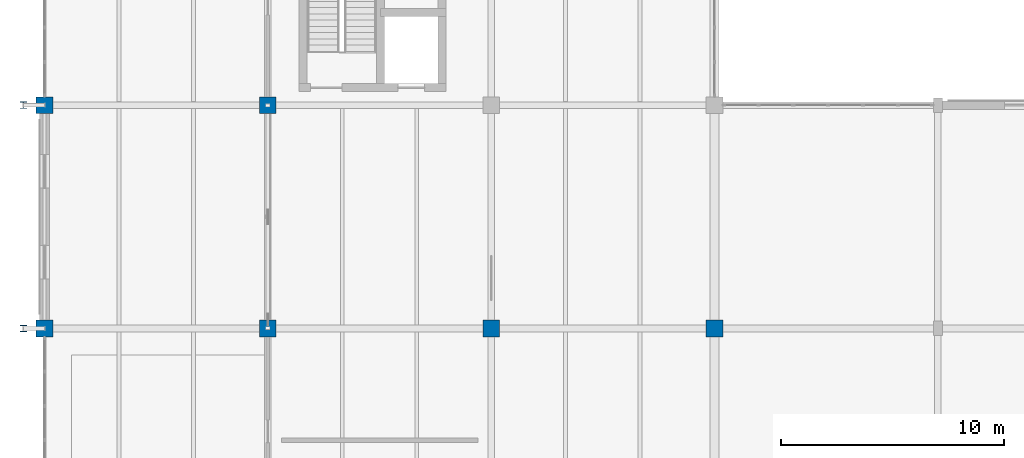
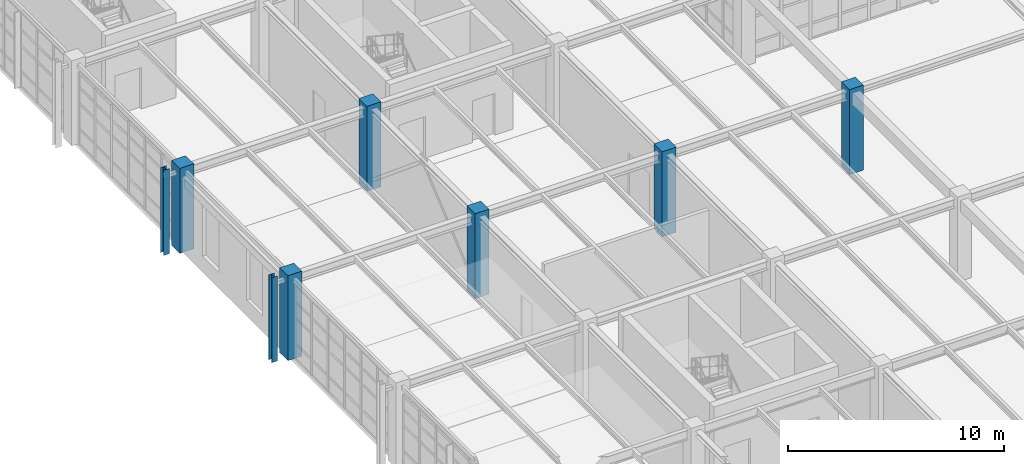
# One storey, part 4 of 139: 8 columns.
"""IFC4 building model written with IfcOpenShell, lengths in metres."""

from ifc_helpers import new_model, si_unit, direction, frame, origin, origin_2d, place, context, subcontext, project, spatial, rectangle, i_section, extrude, material, material_profile, profile_set, type_object, element, save


model = new_model("IFC4")

# Units and contexts
model_context = context("Model", 3, precision=1e-05, world=origin(), true_north=direction((0.0, 1.0)))
body_context = subcontext(model_context, "Body", "Model", "MODEL_VIEW")
ifc_project = project(units=[si_unit("LENGTHUNIT", "METRE"), si_unit("AREAUNIT", "SQUARE_METRE"), si_unit("VOLUMEUNIT", "CUBIC_METRE"), si_unit("PLANEANGLEUNIT", "RADIAN"), si_unit("MASSUNIT", "GRAM", prefix="KILO"), si_unit("THERMODYNAMICTEMPERATUREUNIT", "KELVIN"), si_unit("POWERUNIT", "WATT")], contexts=[model_context])

# Site, building, storey
site_placement = place(None, origin())
site = spatial("IfcSite", under=ifc_project, at=site_placement, CompositionType="ELEMENT")
building_placement = place(site_placement, origin())
building = spatial("IfcBuilding", under=site, at=building_placement, Name="Korenveer Ferry Terminal", CompositionType="ELEMENT")
storey_placement = place(building_placement, frame((0.0, 0.0, 5.39990234375)))
storey = spatial("IfcBuildingStorey", under=building, at=storey_placement, Name="L01", CompositionType="ELEMENT", Elevation=5.39990234375)

# Columns
ifc_material_1 = material(Name="Concrete C45/55", Category="concrete")
ifc_material_profile_1 = material_profile(ifc_material_1, rectangle(XDim=0.75, YDim=0.75, at=origin_2d()), Name="RC 750x750")
ifc_profile_set_1 = profile_set([ifc_material_profile_1], Name="Concrete C45/55")
column_type_1 = type_object("IfcColumnType", Name="STR-COL-RC750", PredefinedType="COLUMN", material=ifc_profile_set_1)
for number, where, z_axis, x_axis, name in (
    (1, (0.0, 40.0, 0.0), (0.0, 0.0, 1.0), (1.0, 0.0, 0.0), "Column COL-L01-X0-Y40"),
    (2, (0.0, 50.0, 0.0), (0.0, 0.0, 1.0), (1.0, 0.0, 0.0), "Column COL-L01-X0-Y50"),
    (3, (10.0, 40.0, 0.0), (0.0, 0.0, 1.0), (1.0, 0.0, 0.0), "Column COL-L01-X10-Y40"),
    (4, (10.0, 50.0, 0.0), (0.0, 0.0, 1.0), (1.0, 0.0, 0.0), "Column COL-L01-X10-Y50"),
    (5, (20.0, 40.0, 0.0), (0.0, 0.0, 1.0), (1.0, 0.0, 0.0), "Column COL-L01-X20-Y40"),
    (6, (30.0, 40.0, 0.0), (0.0, 0.0, 1.0), (1.0, 0.0, 0.0), "Column COL-L01-X30-Y40"),
):
    element("IfcColumn", number, at=place(storey_placement, frame(where, z_axis=z_axis, x_axis=x_axis)), inside=storey, type_object=column_type_1, Name=name, PredefinedType="COLUMN", context=body_context, shape_type="SweptSolid", body=[
        extrude(rectangle(XDim=0.75, YDim=0.75, at=origin_2d()), origin(), (0.0, 0.0, 1.0), 4.800048828125),
    ])
ifc_material_2 = material(Name="Steel S355", Category="steel")
ifc_material_profile_2 = material_profile(ifc_material_2, i_section(OverallWidth=0.300048828125, OverallDepth=0.2900390625, WebThickness=0.008544921875, FlangeThickness=0.013916015625, FilletRadius=0.027099609375, at=origin_2d()), Name="HEA 300")
ifc_profile_set_2 = profile_set([ifc_material_profile_2], Name="Steel S355")
column_type_2 = type_object("IfcColumnType", Name="STR-PIL-BRICK450", PredefinedType="PILASTER", material=ifc_profile_set_2)
for number, where, z_axis, x_axis, name in (
    (7, (-0.949951171875, 40.0, 0.0), (0.0, 0.0, 1.0), (1.0, 0.0, 0.0), "Buttress pilaster 8"),
    (8, (-0.949951171875, 50.0, 0.0), (0.0, 0.0, 1.0), (1.0, 0.0, 0.0), "Buttress pilaster 11"),
):
    element("IfcColumn", number, at=place(storey_placement, frame(where, z_axis=z_axis, x_axis=x_axis)), inside=storey, type_object=column_type_2, Name=name, PredefinedType="PILASTER", context=body_context, shape_type="SweptSolid", body=[
        extrude(i_section(OverallWidth=0.300048828125, OverallDepth=0.2900390625, WebThickness=0.008544921875, FlangeThickness=0.013916015625, FilletRadius=0.027099609375, at=origin_2d()), origin(), (0.0, 0.0, 1.0), 4.800048828125),
    ])

save(model, "model.ifc")
